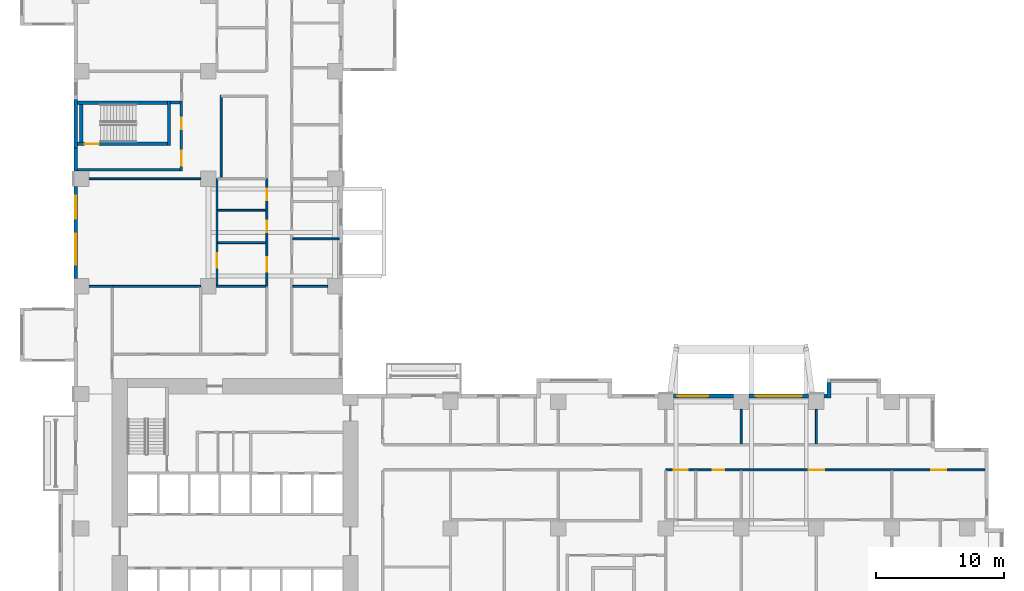
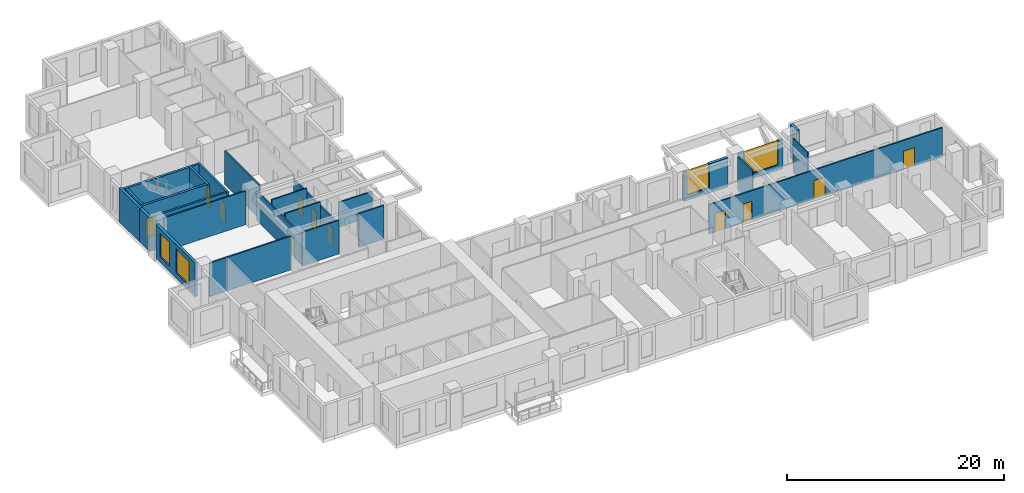
# One storey, part 6 of 14: 28 walls, 11 doors, 4 windows, 15 openings.
"""IFC4 building model written with IfcOpenShell, lengths in metres."""

from ifc_helpers import new_model, si_unit, direction, frame, frame_2d, origin, place, context, subcontext, project, spatial, rectangle, extrude, source, transform, mapped, material, layer, layer_set, type_object, element, fill, save


model = new_model("IFC4")

# Units and contexts
model_context = context("Model", 3, precision=1e-05, world=origin(), true_north=direction((0.0, 1.0)))
body_context = subcontext(model_context, "Body", "Model", "MODEL_VIEW")
ifc_project = project(units=[si_unit("LENGTHUNIT", "METRE"), si_unit("AREAUNIT", "SQUARE_METRE"), si_unit("VOLUMEUNIT", "CUBIC_METRE"), si_unit("PLANEANGLEUNIT", "RADIAN"), si_unit("MASSUNIT", "GRAM", prefix="KILO")], contexts=[model_context])

# Site, building, storey
site_placement = place(None, origin())
site = spatial("IfcSite", under=ifc_project, at=site_placement, CompositionType="ELEMENT")
building_placement = place(site_placement, origin())
building = spatial("IfcBuilding", under=site, at=building_placement, Name="Aurelian Terraces", CompositionType="ELEMENT")
storey_placement = place(building_placement, frame((0.0, 0.0, 44.7)))
storey = spatial("IfcBuildingStorey", under=building, at=storey_placement, Name="L08", CompositionType="ELEMENT", Elevation=44.7)

# Wall, opening, door
ifc_material_1 = material(Name="Gypsum board on steel studs", Category="steel")
ifc_layer_1 = layer(ifc_material_1, 0.15)
ifc_layer_set_1 = layer_set([ifc_layer_1], Name="Partition 150")
wall_type_1 = type_object("IfcWallType", Name="Partition 150", PredefinedType="PARTITIONING", material=ifc_layer_set_1)
wall_1_placement = place(storey_placement, frame((11.175, 29.4, 0.0), z_axis=(0.0, 0.0, 1.0), x_axis=(0.0, 1.0, 0.0)))
wall_1 = element("IfcWall", 1, at=wall_1_placement, inside=storey, type_object=wall_type_1, Name="Partition", PredefinedType="PARTITIONING", context=body_context, shape_type="SweptSolid", body=[
    extrude(rectangle(XDim=8.4, YDim=0.15, at=frame_2d((4.2, 0.0))), origin(), (0.0, 0.0, 1.0), 3.3),
])
shared_shape_1 = source(origin(), body_context, "Body", "SweptSolid", [
    extrude(rectangle(XDim=1.1, YDim=2.1, at=frame_2d((0.55, 1.05))), frame((0.0, 0.085, 0.0), z_axis=(0.0, -1.0, 0.0), x_axis=(1.0, 0.0, 0.0)), (0.0, 0.0, 1.0), 0.17),
])
opening_1_placement = place(wall_1_placement, frame((1.4669, 0.0, 0.0)))
opening_1 = element("IfcOpeningElement", 2, at=opening_1_placement, cuts=wall_1, Name="Opening 708035", PredefinedType="OPENING", context=body_context, shape_type="MappedRepresentation", body=[
    mapped(shared_shape_1, transform((0.0, 0.0, 0.0), scale=1.0)),
])
ifc_material_2 = material(Name="Timber door leaf", Category="wood")
door_type_1 = type_object("IfcDoorType", Name="Room door 1100x2100 left", OperationType="SINGLE_SWING_LEFT", PredefinedType="DOOR", material=ifc_material_2)
shared_shape_2 = source(origin(), body_context, "Body", "SweptSolid", [
    extrude(rectangle(XDim=1.1, YDim=2.1, at=frame_2d((0.55, 1.05))), frame((0.0, 0.025, 0.0), z_axis=(0.0, -1.0, 0.0), x_axis=(1.0, 0.0, 0.0)), (0.0, 0.0, 1.0), 0.05),
])
door_1_placement = place(opening_1_placement, origin())
door_1 = element("IfcDoor", 3, at=door_1_placement, inside=storey, type_object=door_type_1, Name="Door 708035", OperationType="SINGLE_SWING_LEFT", OverallHeight=2.1, OverallWidth=1.1, PredefinedType="DOOR", context=body_context, shape_type="MappedRepresentation", body=[
    mapped(shared_shape_2, transform((0.0, 0.0, 0.0), scale=1.0)),
])
fill(opening_1, door_1)

# Wall, openings, windows
ifc_material_3 = material(Name="Terracotta rainscreen cladding", Category="masonry")
ifc_layer_2 = layer(ifc_material_3, 0.3)
ifc_layer_set_2 = layer_set([ifc_layer_2], Name="EW-300")
wall_type_2 = type_object("IfcWallType", Name="EW-300", PredefinedType="STANDARD", material=ifc_layer_set_2)
shared_shape_3 = source(origin(), body_context, "Body", "SweptSolid", [
    extrude(rectangle(XDim=7.2, YDim=0.3, at=frame_2d((3.6, 0.0))), origin(), (0.0, 0.0, 1.0), 3.8),
])
wall_2_placement = place(storey_placement, frame((0.15, 37.2, 0.0), z_axis=(0.0, 0.0, 1.0), x_axis=(0.0, -1.0, 0.0)))
wall_2 = element("IfcWall", 4, at=wall_2_placement, inside=storey, type_object=wall_type_2, Name="External wall L08 F14.42", PredefinedType="STANDARD", context=body_context, shape_type="MappedRepresentation", body=[
    mapped(shared_shape_3, transform((0.0, 0.0, 0.0), scale=1.0)),
])
shared_shape_4 = source(origin(), body_context, "Body", "SweptSolid", [
    extrude(rectangle(XDim=1.8, YDim=2.7, at=frame_2d((0.9, 1.35))), frame((0.0, 0.16, 0.0), z_axis=(0.0, -1.0, 0.0), x_axis=(1.0, 0.0, 0.0)), (0.0, 0.0, 1.0), 0.32),
])
opening_2_placement = place(wall_2_placement, frame((0.7375, 0.0, 0.6)))
opening_2 = element("IfcOpeningElement", 5, at=opening_2_placement, cuts=wall_2, Name="Opening W1827", PredefinedType="OPENING", context=body_context, shape_type="MappedRepresentation", body=[
    mapped(shared_shape_4, transform((0.0, 0.0, 0.0), scale=1.0)),
])
shared_shape_5 = source(origin(), body_context, "Body", "SweptSolid", [
    extrude(rectangle(XDim=2.4, YDim=2.7, at=frame_2d((1.2, 1.35))), frame((0.0, 0.16, 0.0), z_axis=(0.0, -1.0, 0.0), x_axis=(1.0, 0.0, 0.0)), (0.0, 0.0, 1.0), 0.32),
])
opening_3_placement = place(wall_2_placement, frame((3.7, 0.0, 0.6)))
opening_3 = element("IfcOpeningElement", 6, at=opening_3_placement, cuts=wall_2, Name="Opening W2427", PredefinedType="OPENING", context=body_context, shape_type="MappedRepresentation", body=[
    mapped(shared_shape_5, transform((0.0, 0.0, 0.0), scale=1.0)),
])
ifc_material_4 = material(Name="Clear glazing", Category="glass")
window_type_1 = type_object("IfcWindowType", Name="W-2400x2700", PartitioningType="SINGLE_PANEL", PredefinedType="WINDOW", material=ifc_material_4)
shared_shape_6 = source(origin(), body_context, "Body", "SweptSolid", [
    extrude(rectangle(XDim=2.4, YDim=2.7, at=frame_2d((1.2, 1.35))), frame((0.0, 0.03, 0.0), z_axis=(0.0, -1.0, 0.0), x_axis=(1.0, 0.0, 0.0)), (0.0, 0.0, 1.0), 0.06),
])
window_1_placement = place(opening_3_placement, origin())
window_1 = element("IfcWindow", 7, at=window_1_placement, inside=storey, type_object=window_type_1, Name="Window L08 L08-F14-42-P6.2", OverallHeight=2.7, OverallWidth=2.4, PartitioningType="SINGLE_PANEL", PredefinedType="WINDOW", context=body_context, shape_type="MappedRepresentation", body=[
    mapped(shared_shape_6, transform((0.0, 0.0, 0.0), scale=1.0)),
])
fill(opening_3, window_1)
window_type_2 = type_object("IfcWindowType", Name="W-1800x2700", PartitioningType="SINGLE_PANEL", PredefinedType="WINDOW", material=ifc_material_4)
shared_shape_7 = source(origin(), body_context, "Body", "SweptSolid", [
    extrude(rectangle(XDim=1.8, YDim=2.7, at=frame_2d((0.9, 1.35))), frame((0.0, 0.03, 0.0), z_axis=(0.0, -1.0, 0.0), x_axis=(1.0, 0.0, 0.0)), (0.0, 0.0, 1.0), 0.06),
])
window_2_placement = place(opening_2_placement, origin())
window_2 = element("IfcWindow", 8, at=window_2_placement, inside=storey, type_object=window_type_2, Name="Window L08 L08-F14-42-P6.1", OverallHeight=2.7, OverallWidth=1.8, PartitioningType="SINGLE_PANEL", PredefinedType="WINDOW", context=body_context, shape_type="MappedRepresentation", body=[
    mapped(shared_shape_7, transform((0.0, 0.0, 0.0), scale=1.0)),
])
fill(opening_2, window_2)

# Walls
shared_shape_8 = source(origin(), body_context, "Body", "SweptSolid", [
    extrude(rectangle(XDim=1.2, YDim=0.3, at=frame_2d((0.6, 0.0))), origin(), (0.0, 0.0, 1.0), 3.8),
])
wall_3_placement = place(storey_placement, frame((58.95, 20.7, 0.0), z_axis=(0.0, 0.0, 1.0), x_axis=(0.0, 1.0, 0.0)))
element("IfcWall", 9, at=wall_3_placement, inside=storey, type_object=wall_type_2, Name="Bay return L08 F07.21.2", PredefinedType="STANDARD", context=body_context, shape_type="MappedRepresentation", body=[
    mapped(shared_shape_8, transform((0.0, 0.0, 0.0), scale=1.0)),
])
shared_shape_9 = source(origin(), body_context, "Body", "SweptSolid", [
    extrude(rectangle(XDim=0.24, YDim=0.3, at=frame_2d((0.12, 0.0))), origin(), (0.0, 0.0, 1.0), 3.8),
])
wall_4_placement = place(storey_placement, frame((58.8, 20.85, 0.0), z_axis=(0.0, 0.0, 1.0), x_axis=(-1.0, 0.0, 0.0)))
element("IfcWall", 10, at=wall_4_placement, inside=storey, type_object=wall_type_2, Name="External wall L08 F07.22", PredefinedType="STANDARD", context=body_context, shape_type="MappedRepresentation", body=[
    mapped(shared_shape_9, transform((0.0, 0.0, 0.0), scale=1.0)),
])

# Wall, opening, window
shared_shape_10 = source(origin(), body_context, "Body", "SweptSolid", [
    extrude(rectangle(XDim=4.68, YDim=0.3, at=frame_2d((2.34, 0.0))), origin(), (0.0, 0.0, 1.0), 3.3),
])
wall_5_placement = place(storey_placement, frame((57.36, 20.85, 0.0), z_axis=(0.0, 0.0, 1.0), x_axis=(-1.0, 0.0, 0.0)))
wall_5 = element("IfcWall", 11, at=wall_5_placement, inside=storey, type_object=wall_type_2, Name="External wall L08 F07.22", PredefinedType="STANDARD", context=body_context, shape_type="MappedRepresentation", body=[
    mapped(shared_shape_10, transform((0.0, 0.0, 0.0), scale=1.0)),
])
shared_shape_11 = source(origin(), body_context, "Body", "SweptSolid", [
    extrude(rectangle(XDim=3.6, YDim=2.7, at=frame_2d((1.8, 1.35))), frame((0.0, 0.16, 0.0), z_axis=(0.0, -1.0, 0.0), x_axis=(1.0, 0.0, 0.0)), (0.0, 0.0, 1.0), 0.32),
])
opening_4_placement = place(wall_5_placement, frame((0.54, 0.0, 0.6)))
opening_4 = element("IfcOpeningElement", 12, at=opening_4_placement, cuts=wall_5, Name="Opening W3627", PredefinedType="OPENING", context=body_context, shape_type="MappedRepresentation", body=[
    mapped(shared_shape_11, transform((0.0, 0.0, 0.0), scale=1.0)),
])
window_type_3 = type_object("IfcWindowType", Name="W-3600x2700", PartitioningType="SINGLE_PANEL", PredefinedType="WINDOW", material=ifc_material_4)
shared_shape_12 = source(origin(), body_context, "Body", "SweptSolid", [
    extrude(rectangle(XDim=3.6, YDim=2.7, at=frame_2d((1.8, 1.35))), frame((0.0, 0.03, 0.0), z_axis=(0.0, -1.0, 0.0), x_axis=(1.0, 0.0, 0.0)), (0.0, 0.0, 1.0), 0.06),
])
window_3_placement = place(opening_4_placement, origin())
window_3 = element("IfcWindow", 13, at=window_3_placement, inside=storey, type_object=window_type_3, Name="Window L08 L08-F07-22-P1", OverallHeight=2.7, OverallWidth=3.6, PartitioningType="SINGLE_PANEL", PredefinedType="WINDOW", context=body_context, shape_type="MappedRepresentation", body=[
    mapped(shared_shape_12, transform((0.0, 0.0, 0.0), scale=1.0)),
])
fill(opening_4, window_3)

wall_6_placement = place(storey_placement, frame((51.48, 20.85, 0.0), z_axis=(0.0, 0.0, 1.0), x_axis=(-1.0, 0.0, 0.0)))
wall_6 = element("IfcWall", 14, at=wall_6_placement, inside=storey, type_object=wall_type_2, Name="External wall L08 F07.22", PredefinedType="STANDARD", context=body_context, shape_type="MappedRepresentation", body=[
    mapped(shared_shape_10, transform((0.0, 0.0, 0.0), scale=1.0)),
])
opening_5_placement = place(wall_6_placement, frame((1.98, 0.0, 0.6)))
opening_5 = element("IfcOpeningElement", 15, at=opening_5_placement, cuts=wall_6, Name="Opening W2427", PredefinedType="OPENING", context=body_context, shape_type="MappedRepresentation", body=[
    mapped(shared_shape_5, transform((0.0, 0.0, 0.0), scale=1.0)),
])
window_4_placement = place(opening_5_placement, origin())
window_4 = element("IfcWindow", 16, at=window_4_placement, inside=storey, type_object=window_type_1, Name="Window L08 L08-F07-22-2", OverallHeight=2.7, OverallWidth=2.4, PartitioningType="SINGLE_PANEL", PredefinedType="WINDOW", context=body_context, shape_type="MappedRepresentation", body=[
    mapped(shared_shape_6, transform((0.0, 0.0, 0.0), scale=1.0)),
])
fill(opening_5, window_4)

# Walls
ifc_material_5 = material(Name="Concrete fc' 40 MPa", Category="concrete")
ifc_layer_3 = layer(ifc_material_5, 0.3)
ifc_layer_set_3 = layer_set([ifc_layer_3], Name="STAIR BAY WALL 300")
wall_type_3 = type_object("IfcWallType", Name="STAIR BAY WALL 300", PredefinedType="SOLIDWALL", material=ifc_layer_set_3)
shared_shape_13 = source(origin(), body_context, "Body", "SweptSolid", [
    extrude(rectangle(XDim=3.8, YDim=0.3, at=frame_2d((1.9, 0.0))), origin(), (0.0, 0.0, 1.0), 3.8),
])
wall_7_placement = place(storey_placement, frame((0.15, 44.0, 0.0), z_axis=(0.0, 0.0, 1.0), x_axis=(0.0, -1.0, 0.0)))
element("IfcWall", 17, at=wall_7_placement, inside=storey, type_object=wall_type_3, Name="Stair bay wall L08 F14.42", PredefinedType="SOLIDWALL", context=body_context, shape_type="MappedRepresentation", body=[
    mapped(shared_shape_13, transform((0.0, 0.0, 0.0), scale=1.0)),
])
shared_shape_14 = source(origin(), body_context, "Body", "SweptSolid", [
    extrude(rectangle(XDim=1.8, YDim=0.3, at=frame_2d((0.9, 0.0))), origin(), (0.0, 0.0, 1.0), 3.8),
])
wall_8_placement = place(storey_placement, frame((0.15, 40.2, 0.0), z_axis=(0.0, 0.0, 1.0), x_axis=(0.0, -1.0, 0.0)))
element("IfcWall", 18, at=wall_8_placement, inside=storey, type_object=wall_type_2, Name="External wall L08 F14.42", PredefinedType="STANDARD", context=body_context, shape_type="MappedRepresentation", body=[
    mapped(shared_shape_14, transform((0.0, 0.0, 0.0), scale=1.0)),
])

# Wall, opening, door
ifc_layer_4 = layer(ifc_material_5, 0.25)
ifc_layer_set_4 = layer_set([ifc_layer_4], Name="Stair enclosure wall 250")
wall_type_4 = type_object("IfcWallType", Name="Stair enclosure wall 250", PredefinedType="SOLIDWALL", material=ifc_layer_set_4)
shared_shape_15 = source(origin(), body_context, "Body", "SweptSolid", [
    extrude(rectangle(XDim=7.0, YDim=0.25, at=frame_2d((3.5, 0.0))), origin(), (0.0, 0.0, 1.0), 3.8),
])
wall_9_placement = place(storey_placement, frame((0.3, 40.525, 0.0), z_axis=(0.0, 0.0, 1.0), x_axis=(1.0, 0.0, 0.0)))
wall_9 = element("IfcWall", 19, at=wall_9_placement, inside=storey, type_object=wall_type_4, Name="L08 core wall ST-S3-W", PredefinedType="SOLIDWALL", context=body_context, shape_type="MappedRepresentation", body=[
    mapped(shared_shape_15, transform((0.0, 0.0, 0.0), scale=1.0)),
])
shared_shape_16 = source(origin(), body_context, "Body", "SweptSolid", [
    extrude(rectangle(XDim=1.1, YDim=2.1, at=frame_2d((0.55, 1.05))), frame((0.0, 0.135, 0.0), z_axis=(0.0, -1.0, 0.0), x_axis=(1.0, 0.0, 0.0)), (0.0, 0.0, 1.0), 0.27),
])
opening_6_placement = place(wall_9_placement, frame((0.55, 0.0, 0.0)))
opening_6 = element("IfcOpeningElement", 20, at=opening_6_placement, cuts=wall_9, Name="Opening 61118", PredefinedType="OPENING", context=body_context, shape_type="MappedRepresentation", body=[
    mapped(shared_shape_16, transform((0.0, 0.0, 0.0), scale=1.0)),
])
ifc_material_6 = material(Name="Steel door leaf", Category="steel")
door_type_2 = type_object("IfcDoorType", Name="Core fire door 1100x2100 right", OperationType="SINGLE_SWING_RIGHT", PredefinedType="DOOR", material=ifc_material_6)
door_2_placement = place(opening_6_placement, origin())
door_2 = element("IfcDoor", 21, at=door_2_placement, inside=storey, type_object=door_type_2, Name="Stair door 61118", OperationType="SINGLE_SWING_RIGHT", OverallHeight=2.1, OverallWidth=1.1, PredefinedType="DOOR", context=body_context, shape_type="MappedRepresentation", body=[
    mapped(shared_shape_2, transform((0.0, 0.0, 0.0), scale=1.0)),
])
fill(opening_6, door_2)

# Walls
wall_10_placement = place(storey_placement, frame((0.3, 43.725, 0.0), z_axis=(0.0, 0.0, 1.0), x_axis=(1.0, 0.0, 0.0)))
element("IfcWall", 22, at=wall_10_placement, inside=storey, type_object=wall_type_4, Name="L08 core wall ST-S3-E", PredefinedType="SOLIDWALL", context=body_context, shape_type="MappedRepresentation", body=[
    mapped(shared_shape_15, transform((0.0, 0.0, 0.0), scale=1.0)),
])
shared_shape_17 = source(origin(), body_context, "Body", "SweptSolid", [
    extrude(rectangle(XDim=3.45, YDim=0.25, at=frame_2d((1.725, 0.0))), origin(), (0.0, 0.0, 1.0), 3.8),
])
wall_11_placement = place(storey_placement, frame((7.425, 40.4, 0.0), z_axis=(0.0, 0.0, 1.0), x_axis=(0.0, 1.0, 0.0)))
element("IfcWall", 23, at=wall_11_placement, inside=storey, type_object=wall_type_4, Name="L08 core wall ST-S3-N", PredefinedType="SOLIDWALL", context=body_context, shape_type="MappedRepresentation", body=[
    mapped(shared_shape_17, transform((0.0, 0.0, 0.0), scale=1.0)),
])
shared_shape_18 = source(origin(), body_context, "Body", "SweptSolid", [
    extrude(rectangle(XDim=2.95, YDim=0.25, at=frame_2d((1.475, 0.0))), origin(), (0.0, 0.0, 1.0), 3.8),
])
wall_12_placement = place(storey_placement, frame((0.575, 40.65, 0.0), z_axis=(0.0, 0.0, 1.0), x_axis=(0.0, 1.0, 0.0)))
element("IfcWall", 24, at=wall_12_placement, inside=storey, type_object=wall_type_4, Name="L08 core wall ST-S3-SS", PredefinedType="SOLIDWALL", context=body_context, shape_type="MappedRepresentation", body=[
    mapped(shared_shape_18, transform((0.0, 0.0, 0.0), scale=1.0)),
])
ifc_layer_5 = layer(ifc_material_1, 0.2)
ifc_layer_set_5 = layer_set([ifc_layer_5], Name="Core partition 200")
wall_type_5 = type_object("IfcWallType", Name="Core partition 200", PredefinedType="PARTITIONING", material=ifc_layer_set_5)
shared_shape_19 = source(origin(), body_context, "Body", "SweptSolid", [
    extrude(rectangle(XDim=8.0, YDim=0.2, at=frame_2d((4.0, 0.0))), origin(), (0.0, 0.0, 1.0), 3.8),
])
wall_13_placement = place(storey_placement, frame((0.3, 38.5, 0.0), z_axis=(0.0, 0.0, 1.0), x_axis=(1.0, 0.0, 0.0)))
element("IfcWall", 25, at=wall_13_placement, inside=storey, type_object=wall_type_5, Name="L08 core wall ST-S3-VW", PredefinedType="PARTITIONING", context=body_context, shape_type="MappedRepresentation", body=[
    mapped(shared_shape_19, transform((0.0, 0.0, 0.0), scale=1.0)),
])

# Wall, openings, doors
shared_shape_20 = source(origin(), body_context, "Body", "SweptSolid", [
    extrude(rectangle(XDim=5.45, YDim=0.2, at=frame_2d((2.725, 0.0))), origin(), (0.0, 0.0, 1.0), 3.8),
])
wall_14_placement = place(storey_placement, frame((8.4, 38.4, 0.0), z_axis=(0.0, 0.0, 1.0), x_axis=(0.0, 1.0, 0.0)))
wall_14 = element("IfcWall", 26, at=wall_14_placement, inside=storey, type_object=wall_type_5, Name="L08 core wall ST-S3-BN", PredefinedType="PARTITIONING", context=body_context, shape_type="MappedRepresentation", body=[
    mapped(shared_shape_20, transform((0.0, 0.0, 0.0), scale=1.0)),
])
shared_shape_21 = source(origin(), body_context, "Body", "SweptSolid", [
    extrude(rectangle(XDim=1.2, YDim=2.1, at=frame_2d((0.6, 1.05))), frame((0.0, 0.11, 0.0), z_axis=(0.0, -1.0, 0.0), x_axis=(1.0, 0.0, 0.0)), (0.0, 0.0, 1.0), 0.22),
])
opening_7_placement = place(wall_14_placement, frame((0.4, 0.0, 0.0)))
opening_7 = element("IfcOpeningElement", 27, at=opening_7_placement, cuts=wall_14, Name="Opening 61119", PredefinedType="OPENING", context=body_context, shape_type="MappedRepresentation", body=[
    mapped(shared_shape_21, transform((0.0, 0.0, 0.0), scale=1.0)),
])
shared_shape_22 = source(origin(), body_context, "Body", "SweptSolid", [
    extrude(rectangle(XDim=0.9, YDim=2.1, at=frame_2d((0.45, 1.05))), frame((0.0, 0.11, 0.0), z_axis=(0.0, -1.0, 0.0), x_axis=(1.0, 0.0, 0.0)), (0.0, 0.0, 1.0), 0.22),
])
opening_8_placement = place(wall_14_placement, frame((3.25, 0.0, 0.0)))
opening_8 = element("IfcOpeningElement", 28, at=opening_8_placement, cuts=wall_14, Name="Opening 61120", PredefinedType="OPENING", context=body_context, shape_type="MappedRepresentation", body=[
    mapped(shared_shape_22, transform((0.0, 0.0, 0.0), scale=1.0)),
])
door_type_3 = type_object("IfcDoorType", Name="Core riser door 900x2100 right", OperationType="SINGLE_SWING_RIGHT", PredefinedType="DOOR", material=ifc_material_6)
shared_shape_23 = source(origin(), body_context, "Body", "SweptSolid", [
    extrude(rectangle(XDim=0.9, YDim=2.1, at=frame_2d((0.45, 1.05))), frame((0.0, 0.025, 0.0), z_axis=(0.0, -1.0, 0.0), x_axis=(1.0, 0.0, 0.0)), (0.0, 0.0, 1.0), 0.05),
])
door_3_placement = place(opening_8_placement, origin())
door_3 = element("IfcDoor", 29, at=door_3_placement, inside=storey, type_object=door_type_3, Name="Riser door 61120", OperationType="SINGLE_SWING_RIGHT", OverallHeight=2.1, OverallWidth=0.9, PredefinedType="DOOR", context=body_context, shape_type="MappedRepresentation", body=[
    mapped(shared_shape_23, transform((0.0, 0.0, 0.0), scale=1.0)),
])
fill(opening_8, door_3)
door_type_4 = type_object("IfcDoorType", Name="Core fire door 1200x2100", OperationType="SINGLE_SWING_LEFT", PredefinedType="DOOR", material=ifc_material_6)
shared_shape_24 = source(origin(), body_context, "Body", "SweptSolid", [
    extrude(rectangle(XDim=1.2, YDim=2.1, at=frame_2d((0.6, 1.05))), frame((0.0, 0.025, 0.0), z_axis=(0.0, -1.0, 0.0), x_axis=(1.0, 0.0, 0.0)), (0.0, 0.0, 1.0), 0.05),
])
door_4_placement = place(opening_7_placement, origin())
door_4 = element("IfcDoor", 30, at=door_4_placement, inside=storey, type_object=door_type_4, Name="Vestibule door 61119", OperationType="SINGLE_SWING_LEFT", OverallHeight=2.1, OverallWidth=1.2, PredefinedType="DOOR", context=body_context, shape_type="MappedRepresentation", body=[
    mapped(shared_shape_24, transform((0.0, 0.0, 0.0), scale=1.0)),
])
fill(opening_7, door_4)

# Walls
shared_shape_25 = source(origin(), body_context, "Body", "SweptSolid", [
    extrude(rectangle(XDim=0.75, YDim=0.2, at=frame_2d((0.375, 0.0))), origin(), (0.0, 0.0, 1.0), 3.8),
])
wall_15_placement = place(storey_placement, frame((7.55, 43.75, 0.0), z_axis=(0.0, 0.0, 1.0), x_axis=(1.0, 0.0, 0.0)))
element("IfcWall", 31, at=wall_15_placement, inside=storey, type_object=wall_type_5, Name="L08 core wall ST-S3-RE", PredefinedType="PARTITIONING", context=body_context, shape_type="MappedRepresentation", body=[
    mapped(shared_shape_25, transform((0.0, 0.0, 0.0), scale=1.0)),
])
shared_shape_26 = source(origin(), body_context, "Body", "SweptSolid", [
    extrude(rectangle(XDim=6.45, YDim=0.15, at=frame_2d((3.225, 0.0))), origin(), (0.0, 0.0, 1.0), 3.8),
])
wall_16_placement = place(storey_placement, frame((11.5, 44.325, 0.0), z_axis=(0.0, 0.0, 1.0), x_axis=(0.0, -1.0, 0.0)))
element("IfcWall", 32, at=wall_16_placement, inside=storey, type_object=wall_type_1, Name="Partition", PredefinedType="PARTITIONING", context=body_context, shape_type="MappedRepresentation", body=[
    mapped(shared_shape_26, transform((0.0, 0.0, 0.0), scale=1.0)),
])
shared_shape_27 = source(origin(), body_context, "Body", "SweptSolid", [
    extrude(rectangle(XDim=3.75, YDim=0.15, at=frame_2d((1.875, 0.0))), origin(), (0.0, 0.0, 1.0), 3.8),
])
for number, where, z_axis, x_axis, name in (
    (33, (15.0, 32.8088, 0.0), (0.0, 0.0, 1.0), (-1.0, 0.0, 0.0), "Partition"),
    (34, (15.0, 35.3388, 0.0), (0.0, 0.0, 1.0), (-1.0, 0.0, 0.0), "Partition"),
):
    element("IfcWall", number, at=place(storey_placement, frame(where, z_axis=z_axis, x_axis=x_axis)), inside=storey, type_object=wall_type_1, Name=name, PredefinedType="PARTITIONING", context=body_context, shape_type="MappedRepresentation", body=[
        mapped(shared_shape_27, transform((0.0, 0.0, 0.0), scale=1.0)),
    ])
shared_shape_28 = source(origin(), body_context, "Body", "SweptSolid", [
    extrude(rectangle(XDim=8.702, YDim=0.15, at=frame_2d((4.351, 0.0))), origin(), (0.0, 0.0, 1.0), 3.8),
])
wall_17_placement = place(storey_placement, frame((9.901, 37.8, 0.0), z_axis=(0.0, 0.0, 1.0), x_axis=(-1.0, 0.0, 0.0)))
element("IfcWall", 35, at=wall_17_placement, inside=storey, type_object=wall_type_1, Name="Partition", PredefinedType="PARTITIONING", context=body_context, shape_type="MappedRepresentation", body=[
    mapped(shared_shape_28, transform((0.0, 0.0, 0.0), scale=1.0)),
])
shared_shape_29 = source(origin(), body_context, "Body", "SweptSolid", [
    extrude(rectangle(XDim=2.701, YDim=0.15, at=frame_2d((1.3505, 0.0))), origin(), (0.0, 0.0, 1.0), 3.8),
])
for number, where, z_axis, x_axis, name in (
    (36, (52.08, 17.1, 0.0), (0.0, 0.0, 1.0), (0.0, 1.0, 0.0), "Partition"),
    (37, (57.96, 17.1, 0.0), (0.0, 0.0, 1.0), (0.0, 1.0, 0.0), "Partition"),
    (38, (19.801, 29.4, 0.0), (0.0, 0.0, 1.0), (-1.0, 0.0, 0.0), "Partition"),
):
    element("IfcWall", number, at=place(storey_placement, frame(where, z_axis=z_axis, x_axis=x_axis)), inside=storey, type_object=wall_type_1, Name=name, PredefinedType="PARTITIONING", context=body_context, shape_type="MappedRepresentation", body=[
        mapped(shared_shape_29, transform((0.0, 0.0, 0.0), scale=1.0)),
    ])
shared_shape_30 = source(origin(), body_context, "Body", "SweptSolid", [
    extrude(rectangle(XDim=6.826, YDim=0.15, at=frame_2d((3.413, 0.0))), origin(), (0.0, 0.0, 1.0), 3.8),
])
wall_18_placement = place(storey_placement, frame((9.901, 29.4, 0.0), z_axis=(0.0, 0.0, 1.0), x_axis=(-1.0, 0.0, 0.0)))
element("IfcWall", 39, at=wall_18_placement, inside=storey, type_object=wall_type_1, Name="Partition", PredefinedType="PARTITIONING", context=body_context, shape_type="MappedRepresentation", body=[
    mapped(shared_shape_30, transform((0.0, 0.0, 0.0), scale=1.0)),
])
shared_shape_31 = source(origin(), body_context, "Body", "SweptSolid", [
    extrude(rectangle(XDim=3.901, YDim=0.15, at=frame_2d((1.9505, 0.0))), origin(), (0.0, 0.0, 1.0), 3.8),
])
wall_19_placement = place(storey_placement, frame((15.0, 29.4, 0.0), z_axis=(0.0, 0.0, 1.0), x_axis=(-1.0, 0.0, 0.0)))
element("IfcWall", 40, at=wall_19_placement, inside=storey, type_object=wall_type_1, Name="Partition", PredefinedType="PARTITIONING", context=body_context, shape_type="MappedRepresentation", body=[
    mapped(shared_shape_31, transform((0.0, 0.0, 0.0), scale=1.0)),
])
shared_shape_32 = source(origin(), body_context, "Body", "SweptSolid", [
    extrude(rectangle(XDim=1.856, YDim=0.15, at=frame_2d((0.928, 0.0))), origin(), (0.0, 0.0, 1.0), 3.8),
])
wall_20_placement = place(storey_placement, frame((3.055, 29.4, 0.0), z_axis=(0.0, 0.0, 1.0), x_axis=(-1.0, 0.0, 0.0)))
element("IfcWall", 41, at=wall_20_placement, inside=storey, type_object=wall_type_1, Name="Partition", PredefinedType="PARTITIONING", context=body_context, shape_type="MappedRepresentation", body=[
    mapped(shared_shape_32, transform((0.0, 0.0, 0.0), scale=1.0)),
])

# Wall, openings, doors
ifc_layer_6 = layer(ifc_material_1, 0.15)
ifc_layer_set_6 = layer_set([ifc_layer_6], Name="Fire partition 150")
wall_type_6 = type_object("IfcWallType", Name="Fire partition 150", PredefinedType="PARTITIONING", material=ifc_layer_set_6)
shared_shape_33 = source(origin(), body_context, "Body", "SweptSolid", [
    extrude(rectangle(XDim=24.9, YDim=0.15, at=frame_2d((12.45, 0.0))), origin(), (0.0, 0.0, 1.0), 3.3),
])
wall_21_placement = place(storey_placement, frame((71.1, 15.075, 0.0), z_axis=(0.0, 0.0, 1.0), x_axis=(-1.0, 0.0, 0.0)))
wall_21 = element("IfcWall", 42, at=wall_21_placement, inside=storey, type_object=wall_type_6, Name="Corridor wall", PredefinedType="PARTITIONING", context=body_context, shape_type="MappedRepresentation", body=[
    mapped(shared_shape_33, transform((0.0, 0.0, 0.0), scale=1.0)),
])
opening_9_placement = place(wall_21_placement, frame((23.1875, 0.0, 0.0)))
opening_9 = element("IfcOpeningElement", 43, at=opening_9_placement, cuts=wall_21, Name="Opening 708010", PredefinedType="OPENING", context=body_context, shape_type="MappedRepresentation", body=[
    mapped(shared_shape_1, transform((0.0, 0.0, 0.0), scale=1.0)),
])
shared_shape_34 = source(origin(), body_context, "Body", "SweptSolid", [
    extrude(rectangle(XDim=0.9, YDim=2.1, at=frame_2d((0.45, 1.05))), frame((0.0, 0.085, 0.0), z_axis=(0.0, -1.0, 0.0), x_axis=(1.0, 0.0, 0.0)), (0.0, 0.0, 1.0), 0.17),
])
opening_10_placement = place(wall_21_placement, frame((20.3475, 0.0, 0.0)))
opening_10 = element("IfcOpeningElement", 44, at=opening_10_placement, cuts=wall_21, Name="Opening 708012", PredefinedType="OPENING", context=body_context, shape_type="MappedRepresentation", body=[
    mapped(shared_shape_34, transform((0.0, 0.0, 0.0), scale=1.0)),
])
shared_shape_35 = source(origin(), body_context, "Body", "SweptSolid", [
    extrude(rectangle(XDim=1.2, YDim=2.1, at=frame_2d((0.6, 1.05))), frame((0.0, 0.085, 0.0), z_axis=(0.0, -1.0, 0.0), x_axis=(1.0, 0.0, 0.0)), (0.0, 0.0, 1.0), 0.17),
])
opening_11_placement = place(wall_21_placement, frame((12.54, 0.0, 0.0)))
opening_11 = element("IfcOpeningElement", 45, at=opening_11_placement, cuts=wall_21, Name="Opening 708013", PredefinedType="OPENING", context=body_context, shape_type="MappedRepresentation", body=[
    mapped(shared_shape_35, transform((0.0, 0.0, 0.0), scale=1.0)),
])
opening_12_placement = place(wall_21_placement, frame((2.9925, 0.0, 0.0)))
opening_12 = element("IfcOpeningElement", 46, at=opening_12_placement, cuts=wall_21, Name="Opening 708016", PredefinedType="OPENING", context=body_context, shape_type="MappedRepresentation", body=[
    mapped(shared_shape_35, transform((0.0, 0.0, 0.0), scale=1.0)),
])
door_type_5 = type_object("IfcDoorType", Name="Room door 900x2100 right", OperationType="SINGLE_SWING_RIGHT", PredefinedType="DOOR", material=ifc_material_2)
door_5_placement = place(opening_10_placement, origin())
door_5 = element("IfcDoor", 47, at=door_5_placement, inside=storey, type_object=door_type_5, Name="Door 708012", OperationType="SINGLE_SWING_RIGHT", OverallHeight=2.1, OverallWidth=0.9, PredefinedType="DOOR", context=body_context, shape_type="MappedRepresentation", body=[
    mapped(shared_shape_23, transform((0.0, 0.0, 0.0), scale=1.0)),
])
fill(opening_10, door_5)
door_type_6 = type_object("IfcDoorType", Name="Room door 1100x2100 right", OperationType="SINGLE_SWING_RIGHT", PredefinedType="DOOR", material=ifc_material_2)
door_6_placement = place(opening_9_placement, origin())
door_6 = element("IfcDoor", 48, at=door_6_placement, inside=storey, type_object=door_type_6, Name="Door 708010", OperationType="SINGLE_SWING_RIGHT", OverallHeight=2.1, OverallWidth=1.1, PredefinedType="DOOR", context=body_context, shape_type="MappedRepresentation", body=[
    mapped(shared_shape_2, transform((0.0, 0.0, 0.0), scale=1.0)),
])
fill(opening_9, door_6)
door_type_7 = type_object("IfcDoorType", Name="Room door 1200x2100 right", OperationType="SINGLE_SWING_RIGHT", PredefinedType="DOOR", material=ifc_material_2)
door_7_placement = place(opening_11_placement, origin())
door_7 = element("IfcDoor", 49, at=door_7_placement, inside=storey, type_object=door_type_7, Name="Door 708013", OperationType="SINGLE_SWING_RIGHT", OverallHeight=2.1, OverallWidth=1.2, PredefinedType="DOOR", context=body_context, shape_type="MappedRepresentation", body=[
    mapped(shared_shape_24, transform((0.0, 0.0, 0.0), scale=1.0)),
])
fill(opening_11, door_7)
door_8_placement = place(opening_12_placement, origin())
door_8 = element("IfcDoor", 50, at=door_8_placement, inside=storey, type_object=door_type_7, Name="Door 708016", OperationType="SINGLE_SWING_RIGHT", OverallHeight=2.1, OverallWidth=1.2, PredefinedType="DOOR", context=body_context, shape_type="MappedRepresentation", body=[
    mapped(shared_shape_24, transform((0.0, 0.0, 0.0), scale=1.0)),
])
fill(opening_12, door_8)

# Wall
shared_shape_36 = source(origin(), body_context, "Body", "SweptSolid", [
    extrude(rectangle(XDim=3.6, YDim=0.15, at=frame_2d((1.8, 0.0))), origin(), (0.0, 0.0, 1.0), 2.8),
])
wall_22_placement = place(storey_placement, frame((17.1, 33.1133, 0.0), z_axis=(0.0, 0.0, 1.0), x_axis=(1.0, 0.0, 0.0)))
element("IfcWall", 51, at=wall_22_placement, inside=storey, type_object=wall_type_1, Name="Partition", PredefinedType="PARTITIONING", context=body_context, shape_type="MappedRepresentation", body=[
    mapped(shared_shape_36, transform((0.0, 0.0, 0.0), scale=1.0)),
])

# Wall, openings, doors
shared_shape_37 = source(origin(), body_context, "Body", "SweptSolid", [
    extrude(rectangle(XDim=8.4, YDim=0.15, at=frame_2d((4.2, 0.0))), origin(), (0.0, 0.0, 1.0), 3.3),
])
wall_23_placement = place(storey_placement, frame((15.075, 29.4, 0.0), z_axis=(0.0, 0.0, 1.0), x_axis=(0.0, 1.0, 0.0)))
wall_23 = element("IfcWall", 52, at=wall_23_placement, inside=storey, type_object=wall_type_6, Name="Corridor wall", PredefinedType="PARTITIONING", context=body_context, shape_type="MappedRepresentation", body=[
    mapped(shared_shape_37, transform((0.0, 0.0, 0.0), scale=1.0)),
])
opening_13_placement = place(wall_23_placement, frame((1.1544, 0.0, 0.0)))
opening_13 = element("IfcOpeningElement", 53, at=opening_13_placement, cuts=wall_23, Name="Opening 708034", PredefinedType="OPENING", context=body_context, shape_type="MappedRepresentation", body=[
    mapped(shared_shape_1, transform((0.0, 0.0, 0.0), scale=1.0)),
])
opening_14_placement = place(wall_23_placement, frame((4.2238, 0.0, 0.0)))
opening_14 = element("IfcOpeningElement", 54, at=opening_14_placement, cuts=wall_23, Name="Opening 708036", PredefinedType="OPENING", context=body_context, shape_type="MappedRepresentation", body=[
    mapped(shared_shape_34, transform((0.0, 0.0, 0.0), scale=1.0)),
])
opening_15_placement = place(wall_23_placement, frame((6.7194, 0.0, 0.0)))
opening_15 = element("IfcOpeningElement", 55, at=opening_15_placement, cuts=wall_23, Name="Opening 708037", PredefinedType="OPENING", context=body_context, shape_type="MappedRepresentation", body=[
    mapped(shared_shape_34, transform((0.0, 0.0, 0.0), scale=1.0)),
])
door_9_placement = place(opening_14_placement, origin())
door_9 = element("IfcDoor", 56, at=door_9_placement, inside=storey, type_object=door_type_5, Name="Door 708036", OperationType="SINGLE_SWING_RIGHT", OverallHeight=2.1, OverallWidth=0.9, PredefinedType="DOOR", context=body_context, shape_type="MappedRepresentation", body=[
    mapped(shared_shape_23, transform((0.0, 0.0, 0.0), scale=1.0)),
])
fill(opening_14, door_9)
door_type_8 = type_object("IfcDoorType", Name="Room door 900x2100 left", OperationType="SINGLE_SWING_LEFT", PredefinedType="DOOR", material=ifc_material_2)
door_10_placement = place(opening_15_placement, origin())
door_10 = element("IfcDoor", 57, at=door_10_placement, inside=storey, type_object=door_type_8, Name="Door 708037", OperationType="SINGLE_SWING_LEFT", OverallHeight=2.1, OverallWidth=0.9, PredefinedType="DOOR", context=body_context, shape_type="MappedRepresentation", body=[
    mapped(shared_shape_23, transform((0.0, 0.0, 0.0), scale=1.0)),
])
fill(opening_15, door_10)
door_11_placement = place(opening_13_placement, origin())
door_11 = element("IfcDoor", 58, at=door_11_placement, inside=storey, type_object=door_type_6, Name="Door 708034", OperationType="SINGLE_SWING_RIGHT", OverallHeight=2.1, OverallWidth=1.1, PredefinedType="DOOR", context=body_context, shape_type="MappedRepresentation", body=[
    mapped(shared_shape_2, transform((0.0, 0.0, 0.0), scale=1.0)),
])
fill(opening_13, door_11)

save(model, "model.ifc")
